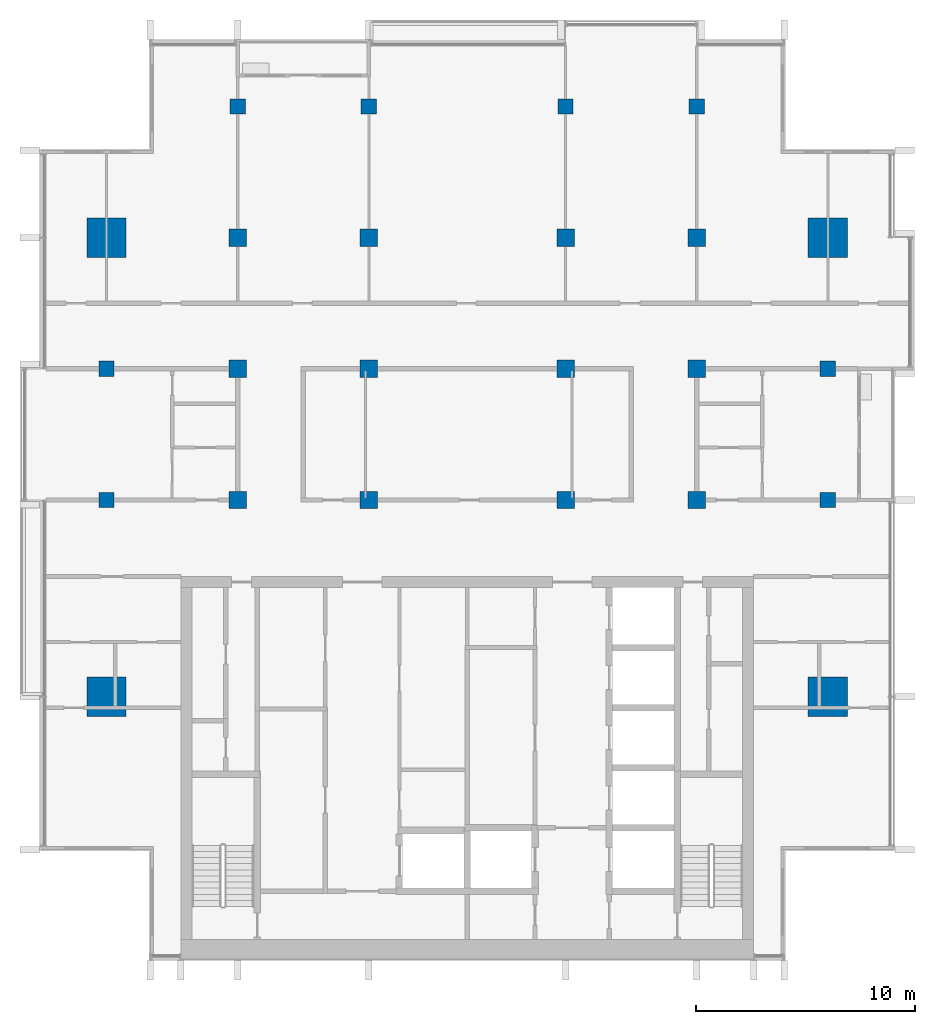
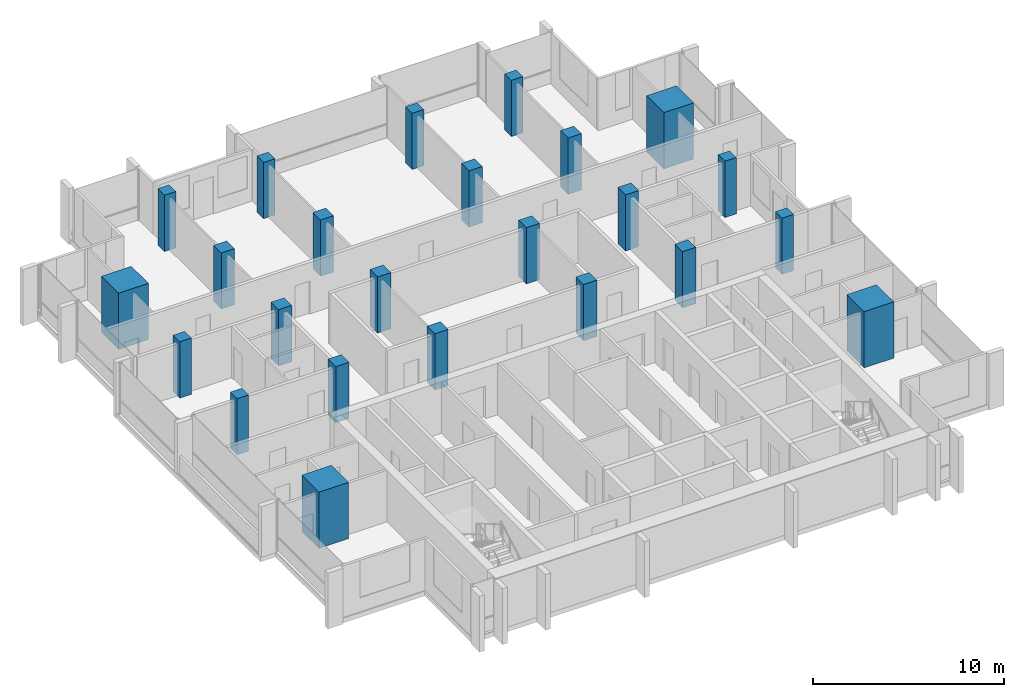
# One storey, part 1 of 15: 24 columns.
"""IFC4 building model written with IfcOpenShell, lengths in metres."""

from ifc_helpers import new_model, si_unit, direction, frame, origin, origin_2d, place, context, subcontext, project, spatial, rectangle, extrude, material, material_profile, profile_set, type_object, element, save


model = new_model("IFC4")

# Units and contexts
model_context = context("Model", 3, precision=1e-05, world=origin(), true_north=direction((0.0, 1.0)))
body_context = subcontext(model_context, "Body", "Model", "MODEL_VIEW")
ifc_project = project(units=[si_unit("LENGTHUNIT", "METRE"), si_unit("AREAUNIT", "SQUARE_METRE"), si_unit("VOLUMEUNIT", "CUBIC_METRE"), si_unit("PLANEANGLEUNIT", "RADIAN"), si_unit("MASSUNIT", "GRAM", prefix="KILO")], contexts=[model_context])

# Site, building, storey
site_placement = place(None, origin())
site = spatial("IfcSite", under=ifc_project, at=site_placement, CompositionType="ELEMENT")
building_placement = place(site_placement, origin())
building = spatial("IfcBuilding", under=site, at=building_placement, Name="Finial Court Residences", CompositionType="ELEMENT")
storey_placement = place(building_placement, frame((0.0, 0.0, 269.89990234375)))
storey = spatial("IfcBuildingStorey", under=building, at=storey_placement, Name="L68", CompositionType="ELEMENT", Elevation=269.89990234375)

# Columns
ifc_material = material(Name="Concrete C50/60", Category="concrete")
ifc_material_profile_1 = material_profile(ifc_material, rectangle(XDim=0.800048828125, YDim=0.800048828125, at=origin_2d()), Name="800x800")
ifc_profile_set_1 = profile_set([ifc_material_profile_1], Name="Concrete C50/60")
column_type_1 = type_object("IfcColumnType", Name="Interior column 800x800 Concrete C50/60", PredefinedType="COLUMN", material=ifc_profile_set_1)
for number, where, z_axis, x_axis, name in (
    (1, (-10.5, -4.5, 0.0), (0.0, 0.0, 1.0), (1.0, 0.0, 0.0), "S:COL:L68:D4"),
    (2, (-10.5, 1.5, 0.0), (0.0, 0.0, 1.0), (1.0, 0.0, 0.0), "S:COL:L68:D5"),
    (3, (-10.5, 7.5, 0.0), (0.0, 0.0, 1.0), (1.0, 0.0, 0.0), "S:COL:L68:D6"),
    (4, (-4.5, -4.5, 0.0), (0.0, 0.0, 1.0), (1.0, 0.0, 0.0), "S:COL:L68:E4"),
    (5, (-4.5, 1.5, 0.0), (0.0, 0.0, 1.0), (1.0, 0.0, 0.0), "S:COL:L68:E5"),
    (6, (-4.5, 7.5, 0.0), (0.0, 0.0, 1.0), (1.0, 0.0, 0.0), "S:COL:L68:E6"),
    (7, (4.5, -4.5, 0.0), (0.0, 0.0, 1.0), (1.0, 0.0, 0.0), "S:COL:L68:F4"),
    (8, (4.5, 1.5, 0.0), (0.0, 0.0, 1.0), (1.0, 0.0, 0.0), "S:COL:L68:F5"),
    (9, (4.5, 7.5, 0.0), (0.0, 0.0, 1.0), (1.0, 0.0, 0.0), "S:COL:L68:F6"),
    (10, (10.5, -4.5, 0.0), (0.0, 0.0, 1.0), (1.0, 0.0, 0.0), "S:COL:L68:G4"),
    (11, (10.5, 1.5, 0.0), (0.0, 0.0, 1.0), (1.0, 0.0, 0.0), "S:COL:L68:G5"),
    (12, (10.5, 7.5, 0.0), (0.0, 0.0, 1.0), (1.0, 0.0, 0.0), "S:COL:L68:G6"),
):
    element("IfcColumn", number, at=place(storey_placement, frame(where, z_axis=z_axis, x_axis=x_axis)), inside=storey, type_object=column_type_1, Name=name, PredefinedType="COLUMN", context=body_context, shape_type="SweptSolid", body=[
        extrude(rectangle(XDim=0.800048828125, YDim=0.800048828125, at=origin_2d()), origin(), (0.0, 0.0, 1.0), 3.60009765625),
    ])
ifc_material_profile_2 = material_profile(ifc_material, rectangle(XDim=1.800048828125, YDim=1.800048828125, at=origin_2d()), Name="1800x1800")
ifc_profile_set_2 = profile_set([ifc_material_profile_2], Name="Concrete C50/60")
column_type_2 = type_object("IfcColumnType", Name="Mega column 1800x1800 Concrete C50/60", PredefinedType="COLUMN", material=ifc_profile_set_2)
for number, where, z_axis, x_axis, name in (
    (13, (-16.5, -13.5, 0.0), (0.0, 0.0, 1.0), (1.0, 0.0, 0.0), "S:COL:L68:C3"),
    (14, (-16.5, 7.5, 0.0), (0.0, 0.0, 1.0), (1.0, 0.0, 0.0), "S:COL:L68:C6"),
    (15, (16.5, -13.5, 0.0), (0.0, 0.0, 1.0), (1.0, 0.0, 0.0), "S:COL:L68:H3"),
    (16, (16.5, 7.5, 0.0), (0.0, 0.0, 1.0), (1.0, 0.0, 0.0), "S:COL:L68:H6"),
):
    element("IfcColumn", number, at=place(storey_placement, frame(where, z_axis=z_axis, x_axis=x_axis)), inside=storey, type_object=column_type_2, Name=name, PredefinedType="COLUMN", context=body_context, shape_type="SweptSolid", body=[
        extrude(rectangle(XDim=1.800048828125, YDim=1.800048828125, at=origin_2d()), origin(), (0.0, 0.0, 1.0), 3.60009765625),
    ])
ifc_material_profile_3 = material_profile(ifc_material, rectangle(XDim=0.699951171875, YDim=0.699951171875, at=origin_2d()), Name="700x700")
ifc_profile_set_3 = profile_set([ifc_material_profile_3], Name="Concrete C50/60")
column_type_3 = type_object("IfcColumnType", Name="Perimeter column 700x700 Concrete C50/60", PredefinedType="COLUMN", material=ifc_profile_set_3)
for number, where, z_axis, x_axis, name in (
    (17, (-16.5, -4.5, 0.0), (0.0, 0.0, 1.0), (1.0, 0.0, 0.0), "S:COL:L68:C4"),
    (18, (-16.5, 1.5, 0.0), (0.0, 0.0, 1.0), (1.0, 0.0, 0.0), "S:COL:L68:C5"),
    (19, (-10.5, 13.5, 0.0), (0.0, 0.0, 1.0), (1.0, 0.0, 0.0), "S:COL:L68:D7"),
    (20, (-4.5, 13.5, 0.0), (0.0, 0.0, 1.0), (1.0, 0.0, 0.0), "S:COL:L68:E7"),
    (21, (4.5, 13.5, 0.0), (0.0, 0.0, 1.0), (1.0, 0.0, 0.0), "S:COL:L68:F7"),
    (22, (10.5, 13.5, 0.0), (0.0, 0.0, 1.0), (1.0, 0.0, 0.0), "S:COL:L68:G7"),
    (23, (16.5, -4.5, 0.0), (0.0, 0.0, 1.0), (1.0, 0.0, 0.0), "S:COL:L68:H4"),
    (24, (16.5, 1.5, 0.0), (0.0, 0.0, 1.0), (1.0, 0.0, 0.0), "S:COL:L68:H5"),
):
    element("IfcColumn", number, at=place(storey_placement, frame(where, z_axis=z_axis, x_axis=x_axis)), inside=storey, type_object=column_type_3, Name=name, PredefinedType="COLUMN", context=body_context, shape_type="SweptSolid", body=[
        extrude(rectangle(XDim=0.699951171875, YDim=0.699951171875, at=origin_2d()), origin(), (0.0, 0.0, 1.0), 3.60009765625),
    ])

save(model, "model.ifc")
